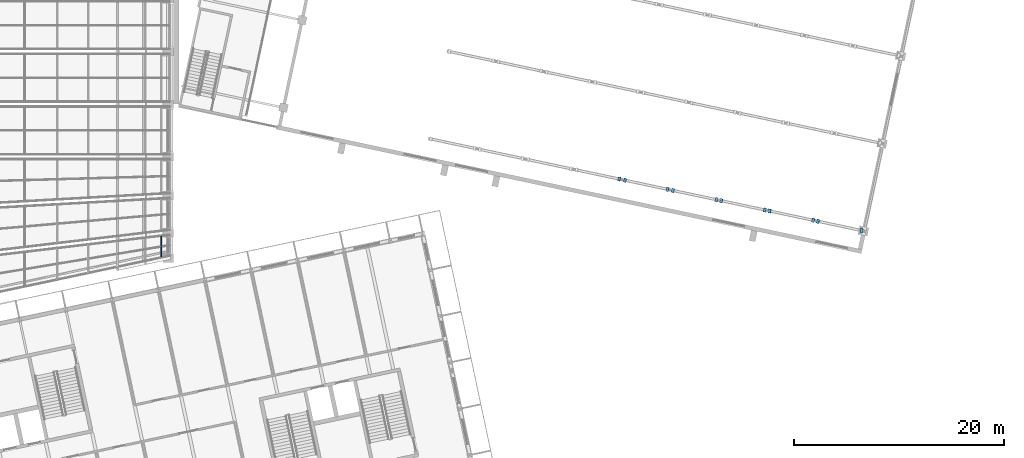
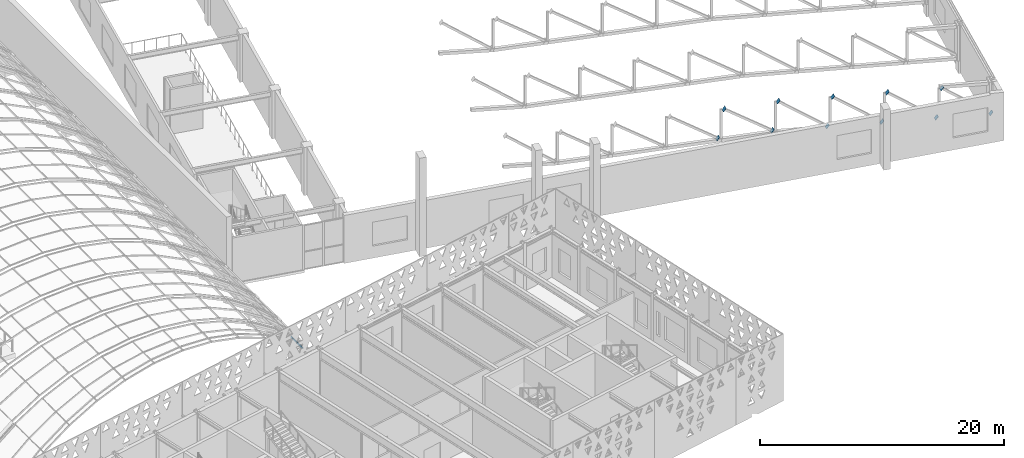
# One storey, part 160 of 182: 13 discrete accessories.
"""IFC4 building model written with IfcOpenShell, lengths in metres."""

from ifc_helpers import new_model, si_unit, direction, frame, origin, origin_2d, place, context, subcontext, project, spatial, polyline, rectangle, outline, extrude, material, layer, layer_set, type_object, element, save


model = new_model("IFC4")

# Units and contexts
model_context = context("Model", 3, precision=1e-05, world=origin(), true_north=direction((0.0, 1.0)))
body_context = subcontext(model_context, "Body", "Model", "MODEL_VIEW")
ifc_project = project(units=[si_unit("LENGTHUNIT", "METRE"), si_unit("AREAUNIT", "SQUARE_METRE"), si_unit("VOLUMEUNIT", "CUBIC_METRE"), si_unit("PLANEANGLEUNIT", "RADIAN"), si_unit("MASSUNIT", "GRAM", prefix="KILO")], contexts=[model_context])

# Site, building, storey
site_placement = place(None, origin())
site = spatial("IfcSite", under=ifc_project, at=site_placement, CompositionType="ELEMENT")
building_placement = place(site_placement, origin())
building = spatial("IfcBuilding", under=site, at=building_placement, Name="Okhra Congress Centre", CompositionType="ELEMENT")
storey_placement = place(building_placement, frame((0.0, 0.0, 7.199951171875)))
storey = spatial("IfcBuildingStorey", under=building, at=storey_placement, Name="L01", CompositionType="ELEMENT", Elevation=7.199951171875)

# Discrete accessories
ifc_material_1 = material(Name="Steel S355J2", Category="steel")
ifc_layer = layer(ifc_material_1, 0.02001953125)
ifc_layer_set = layer_set([ifc_layer], Name="Brace end connection plate 20 mm S355")
discrete_accessory_type_1 = type_object("IfcDiscreteAccessoryType", Name="Brace end connection plate 20 mm S355", PredefinedType="BRACKET", material=ifc_layer_set)
discrete_accessory_1_placement = place(storey_placement, frame((231.84716796875, 88.894287109375, 4.017333984375), z_axis=(0.78696877165, -0.169500966202, -0.593253381705), x_axis=(0.210556075945, 0.977581781174, 0.0)))
element("IfcDiscreteAccessory", 1, at=discrete_accessory_1_placement, inside=storey, type_object=discrete_accessory_type_1, Name="Brace end connection plate", PredefinedType="BRACKET", context=body_context, shape_type="SweptSolid", body=[
    extrude(rectangle(XDim=0.39990234375, YDim=0.39990234375, at=origin_2d()), origin(), (0.0, 0.0, 1.0), 0.020263671875),
])
for number, where, z_axis, x_axis, name in (
    (2, (232.414306640625, 88.773681640625, 6.792236328125), (-0.792623989105, 0.170719013038, 0.585322330416), (-0.210556075945, -0.977581781174, 0.0), "Brace end connection plate"),
    (3, (236.444580078125, 87.9169921875, 3.77099609375), (0.782293211309, -0.171126639974, -0.598943239908), (0.213696878805, 0.976900017396, 0.0), "Brace end connection plate"),
):
    element("IfcDiscreteAccessory", number, at=place(storey_placement, frame(where, z_axis=z_axis, x_axis=x_axis)), inside=storey, type_object=discrete_accessory_type_1, Name=name, PredefinedType="BRACKET", context=body_context, shape_type="SweptSolid", body=[
        extrude(rectangle(XDim=0.39990234375, YDim=0.39990234375, at=origin_2d()), origin(), (0.0, 0.0, 1.0), 0.02001953125),
    ])
discrete_accessory_2_placement = place(storey_placement, frame((236.961669921875, 87.80712890625, 6.56640625), z_axis=(-0.762359109709, 0.159849490745, 0.627101848309), x_axis=(-0.205214844297, -0.978716949726, 0.0)))
element("IfcDiscreteAccessory", 4, at=discrete_accessory_2_placement, inside=storey, type_object=discrete_accessory_type_1, Name="Brace end connection plate", PredefinedType="BRACKET", context=body_context, shape_type="SweptSolid", body=[
    extrude(rectangle(XDim=0.39990234375, YDim=0.39990234375, at=origin_2d()), origin(), (0.0, 0.0, 1.0), 0.019775390625),
])
discrete_accessory_3_placement = place(storey_placement, frame((241.091552734375, 86.92919921875, 3.17333984375), z_axis=(0.767437154638, -0.158360047782, -0.621258648992), x_axis=(0.202091528728, 0.97936663922, 0.0)))
element("IfcDiscreteAccessory", 5, at=discrete_accessory_3_placement, inside=storey, type_object=discrete_accessory_type_1, Name="Brace end connection plate", PredefinedType="BRACKET", context=body_context, shape_type="SweptSolid", body=[
    extrude(rectangle(XDim=0.39990234375, YDim=0.39990234375, at=origin_2d()), origin(), (0.0, 0.0, 1.0), 0.02001953125),
])
for number, where, z_axis, x_axis, name in (
    (6, (241.55908203125, 86.829833984375, 5.9892578125), (-0.762359109709, 0.159849490745, 0.627101848309), (-0.205214844297, -0.978716949726, 0.0), "Brace end connection plate"),
    (7, (245.68896484375, 85.9521484375, 2.59619140625), (0.760807787608, -0.171795306879, -0.625825760774), (0.220260871435, 0.975441002068, 0.0), "Brace end connection plate"),
):
    element("IfcDiscreteAccessory", number, at=place(storey_placement, frame(where, z_axis=z_axis, x_axis=x_axis)), inside=storey, type_object=discrete_accessory_type_1, Name=name, PredefinedType="BRACKET", context=body_context, shape_type="SweptSolid", body=[
        extrude(rectangle(XDim=0.39990234375, YDim=0.39990234375, at=origin_2d()), origin(), (0.0, 0.0, 1.0), 0.019775390625),
    ])
for number, where, z_axis, x_axis, name in (
    (8, (246.156494140625, 85.852783203125, 5.412109375), (-0.761638720064, 0.15716354541, 0.62865418164), (-0.202091528728, -0.97936663922, 0.0), "Brace end connection plate"),
    (9, (250.2861328125, 84.974853515625, 2.019287109375), (0.761638720064, -0.15716354541, -0.62865418164), (0.202091528728, 0.97936663922, 0.0), "Brace end connection plate"),
):
    element("IfcDiscreteAccessory", number, at=place(storey_placement, frame(where, z_axis=z_axis, x_axis=x_axis)), inside=storey, type_object=discrete_accessory_type_1, Name=name, PredefinedType="BRACKET", context=body_context, shape_type="SweptSolid", body=[
        extrude(rectangle(XDim=0.39990234375, YDim=0.39990234375, at=origin_2d()), origin(), (0.0, 0.0, 1.0), 0.020263671875),
    ])
discrete_accessory_4_placement = place(storey_placement, frame((250.753662109375, 84.87548828125, 4.835205078125), z_axis=(-0.762359109709, 0.159849490745, 0.627101848309), x_axis=(-0.205214844297, -0.978716949726, 0.0)))
element("IfcDiscreteAccessory", 10, at=discrete_accessory_4_placement, inside=storey, type_object=discrete_accessory_type_1, Name="Brace end connection plate", PredefinedType="BRACKET", context=body_context, shape_type="SweptSolid", body=[
    extrude(rectangle(XDim=0.39990234375, YDim=0.39990234375, at=origin_2d()), origin(), (0.0, 0.0, 1.0), 0.019775390625),
])
discrete_accessory_5_placement = place(storey_placement, frame((254.883544921875, 83.997802734375, 1.442138671875), z_axis=(0.754975587422, -0.17047835845, -0.633205331387), x_axis=(0.220260871435, 0.975441002068, 0.0)))
element("IfcDiscreteAccessory", 11, at=discrete_accessory_5_placement, inside=storey, type_object=discrete_accessory_type_1, Name="Brace end connection plate", PredefinedType="BRACKET", context=body_context, shape_type="SweptSolid", body=[
    extrude(rectangle(XDim=0.39990234375, YDim=0.39990234375, at=origin_2d()), origin(), (0.0, 0.0, 1.0), 0.02001953125),
])
ifc_material_2 = material(Name="Stainless steel snow retention bar clamped to the standing seams", Category="steel")
discrete_accessory_type_2 = type_object("IfcDiscreteAccessoryType", Name="Snow guard bar 40x120", PredefinedType="USERDEFINED", material=ifc_material_2)
discrete_accessory_6_placement = place(storey_placement, frame((188.34521484375, 81.48876953125, 2.772216796875), z_axis=(0.666258670845, 0.0, 0.745720714157), x_axis=(0.745720714157, 0.0, -0.666258670845)))
element("IfcDiscreteAccessory", 12, at=discrete_accessory_6_placement, inside=storey, type_object=discrete_accessory_type_2, Name="Snow guard bar", ObjectType="SNOW GUARD", PredefinedType="USERDEFINED", context=body_context, shape_type="SweptSolid", body=[
    extrude(outline(polyline([(0.0, 0.0), (0.03994143609603103, 0.0), (0.03994143609603103, 0.9104003906250002), (0.0, 0.9104003906250002), (0.0, 0.0)])), origin(), (0.0, 0.0, -1.0), 0.1201171875),
])
discrete_accessory_7_placement = place(storey_placement, frame((188.34521484375, 82.51904296875, 2.772216796875), z_axis=(0.666258670845, 0.0, 0.745720714157), x_axis=(0.745720714157, 0.0, -0.666258670845)))
element("IfcDiscreteAccessory", 13, at=discrete_accessory_7_placement, inside=storey, type_object=discrete_accessory_type_2, Name="Snow guard bar", ObjectType="SNOW GUARD", PredefinedType="USERDEFINED", context=body_context, shape_type="SweptSolid", body=[
    extrude(outline(polyline([(0.0, 0.0), (0.03994143609603103, 0.0), (0.03994143609603103, 0.9106445312500002), (0.0, 0.9106445312500002), (0.0, 0.0)])), origin(), (0.0, 0.0, -1.0), 0.1201171875),
])

save(model, "model.ifc")
